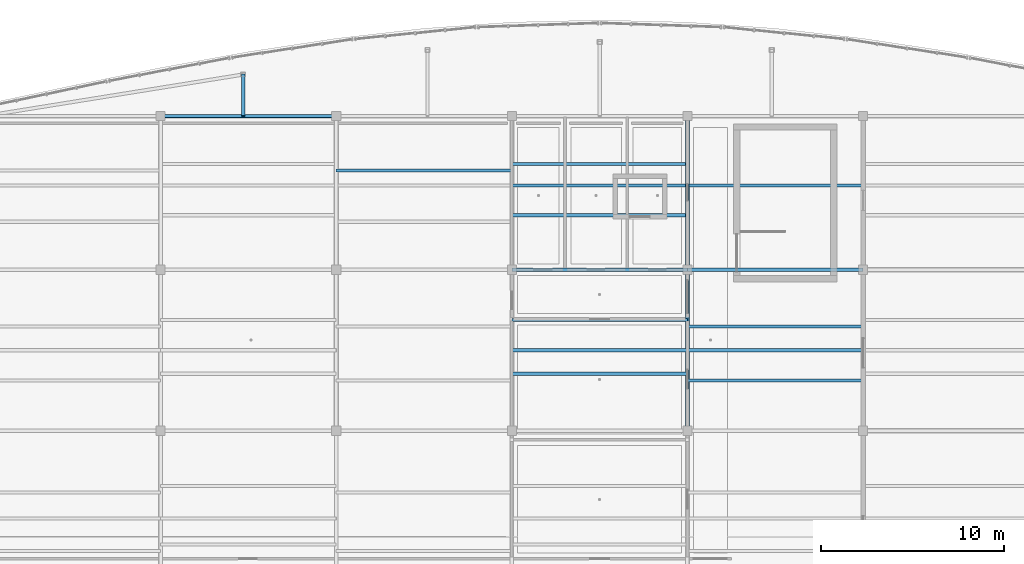
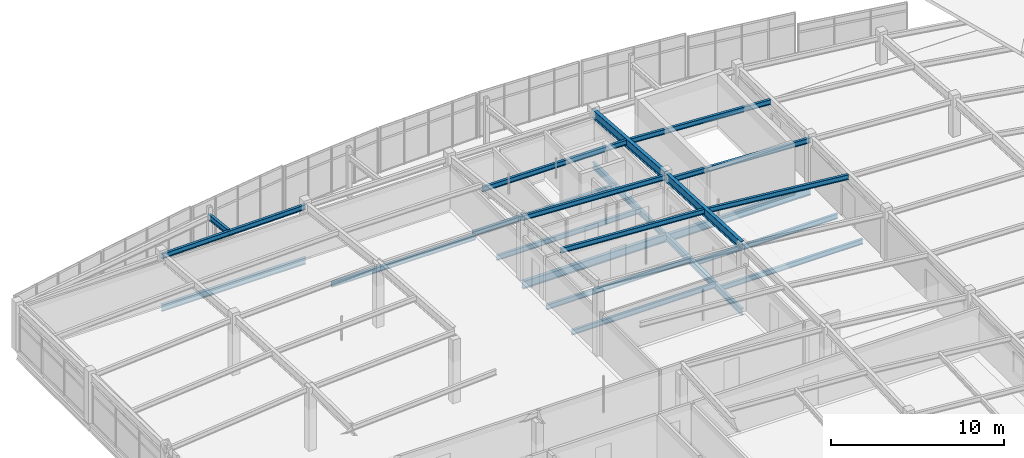
# One storey, part 43 of 65: 14 beams, 8 members.
"""IFC4 building model written with IfcOpenShell, lengths in metres."""

from ifc_helpers import new_model, si_unit, direction, frame, origin, origin_2d, place, context, subcontext, project, spatial, i_section, extrude, material, material_profile, profile_set, type_object, element, save


model = new_model("IFC4")

# Units and contexts
model_context = context("Model", 3, precision=1e-05, world=origin(), true_north=direction((0.0, 1.0)))
body_context = subcontext(model_context, "Body", "Model", "MODEL_VIEW")
ifc_project = project(units=[si_unit("LENGTHUNIT", "METRE"), si_unit("AREAUNIT", "SQUARE_METRE"), si_unit("VOLUMEUNIT", "CUBIC_METRE"), si_unit("PLANEANGLEUNIT", "RADIAN"), si_unit("MASSUNIT", "GRAM", prefix="KILO")], contexts=[model_context])

# Site, building, storey
site_placement = place(None, origin())
site = spatial("IfcSite", under=ifc_project, at=site_placement, CompositionType="ELEMENT")
building_placement = place(site_placement, origin())
building = spatial("IfcBuilding", under=site, at=building_placement, Name="Chalmorin Arch Market", CompositionType="ELEMENT")
storey_placement = place(building_placement, frame((0.0, 0.0, 14.10009765625)))
storey = spatial("IfcBuildingStorey", under=building, at=storey_placement, Name="L03", CompositionType="ELEMENT", Elevation=14.10009765625)

# Beams
ifc_material = material(Name="Steel A992 Grade 50", Category="steel")
ifc_material_profile_1 = material_profile(ifc_material, i_section(OverallWidth=0.19091796875, OverallDepth=0.45703125, WebThickness=0.009033203125, FlangeThickness=0.014404296875, FilletRadius=0.02001953125, at=origin_2d()), Name="W18X50")
ifc_profile_set_1 = profile_set([ifc_material_profile_1], Name="Steel A992 Grade 50")
beam_type_1 = type_object("IfcBeamType", Name="FloorSteelBeam-W18X50", PredefinedType="BEAM", material=ifc_profile_set_1)
beam_1_placement = place(storey_placement, frame((86.39990234375, 100.800048828125, -0.470703125), z_axis=(0.0, 1.0, 0.0), x_axis=(-1.0, 0.0, 0.0)))
element("IfcBeam", 1, at=beam_1_placement, inside=storey, type_object=beam_type_1, Name="BM-W18B-1423", PredefinedType="BEAM", context=body_context, shape_type="SweptSolid", body=[
    extrude(i_section(OverallWidth=0.19091796875, OverallDepth=0.45703125, WebThickness=0.009033203125, FlangeThickness=0.014404296875, FilletRadius=0.02001953125, at=origin_2d()), origin(), (0.0, 0.0, 1.0), 8.800048828125),
])
beam_2_placement = place(storey_placement, frame((86.39990234375, 109.60009765625, -0.510498046875), z_axis=(0.0, 1.0, 0.0), x_axis=(-1.0, 0.0, 0.0)))
element("IfcBeam", 2, at=beam_2_placement, inside=storey, type_object=beam_type_1, Name="BM-W18B-1425", PredefinedType="BEAM", context=body_context, shape_type="SweptSolid", body=[
    extrude(i_section(OverallWidth=0.19091796875, OverallDepth=0.45703125, WebThickness=0.009033203125, FlangeThickness=0.014404296875, FilletRadius=0.02001953125, at=origin_2d()), origin(), (0.0, 0.0, 1.0), 8.39990234375),
])
ifc_material_profile_2 = material_profile(ifc_material, i_section(OverallWidth=0.19091796875, OverallDepth=0.45703125, WebThickness=0.009033203125, FlangeThickness=0.014404296875, FilletRadius=0.02001953125, at=origin_2d()), Name="W18X50")
ifc_profile_set_2 = profile_set([ifc_material_profile_2], Name="Steel A992 Grade 50")
beam_type_2 = type_object("IfcBeamType", Name="PerimeterSpandrelBeam-W18X50", PredefinedType="SPANDREL", material=ifc_profile_set_2)
beam_3_placement = place(storey_placement, frame((57.60009765625, 118.0, -0.510498046875), z_axis=(1.0, 0.0, 0.0), x_axis=(0.0, 1.0, 0.0)))
element("IfcBeam", 3, at=beam_3_placement, inside=storey, type_object=beam_type_2, Name="SP-W18-1402", PredefinedType="SPANDREL", context=body_context, shape_type="SweptSolid", body=[
    extrude(i_section(OverallWidth=0.19091796875, OverallDepth=0.45703125, WebThickness=0.009033203125, FlangeThickness=0.014404296875, FilletRadius=0.02001953125, at=origin_2d()), origin(), (0.0, 0.0, 1.0), 9.599853515625),
])
ifc_material_profile_3 = material_profile(ifc_material, i_section(OverallWidth=0.2119140625, OverallDepth=0.5439453125, WebThickness=0.01318359375, FlangeThickness=0.021240234375, FilletRadius=0.02197265625, at=origin_2d()), Name="W21X83")
ifc_profile_set_3 = profile_set([ifc_material_profile_3], Name="Steel A992 Grade 50")
beam_type_3 = type_object("IfcBeamType", Name="PrimarySteelGirder-W21X83", PredefinedType="BEAM", material=ifc_profile_set_3)
beam_4_placement = place(storey_placement, frame((76.800048828125, 109.60009765625, -0.51416015625), z_axis=(1.0, 0.0, 0.0), x_axis=(0.0, 1.0, 0.0)))
element("IfcBeam", 4, at=beam_4_placement, inside=storey, type_object=beam_type_3, Name="BG-W21A-1422", PredefinedType="BEAM", context=body_context, shape_type="SweptSolid", body=[
    extrude(i_section(OverallWidth=0.2119140625, OverallDepth=0.5439453125, WebThickness=0.01318359375, FlangeThickness=0.021240234375, FilletRadius=0.02197265625, at=origin_2d()), origin(), (0.0, 0.0, 1.0), 9.599853515625),
])
beam_5_placement = place(storey_placement, frame((86.39990234375, 109.60009765625, -0.57421875), z_axis=(1.0, 0.0, 0.0), x_axis=(0.0, 1.0, 0.0)))
element("IfcBeam", 5, at=beam_5_placement, inside=storey, type_object=beam_type_3, Name="BG-W21A-1433", PredefinedType="BEAM", context=body_context, shape_type="SweptSolid", body=[
    extrude(i_section(OverallWidth=0.2119140625, OverallDepth=0.5439453125, WebThickness=0.01318359375, FlangeThickness=0.021240234375, FilletRadius=0.02197265625, at=origin_2d()), origin(), (0.0, 0.0, 1.0), 9.60009765625),
])
ifc_material_profile_4 = material_profile(ifc_material, i_section(OverallWidth=0.22802734375, OverallDepth=0.60791015625, WebThickness=0.01123046875, FlangeThickness=0.017333984375, FilletRadius=0.02392578125, at=origin_2d()), Name="W24X76")
ifc_profile_set_4 = profile_set([ifc_material_profile_4], Name="Steel A992 Grade 50")
beam_type_4 = type_object("IfcBeamType", Name="PrimarySteelGirder-W24X76", PredefinedType="BEAM", material=ifc_profile_set_4)
beam_6_placement = place(storey_placement, frame((86.39990234375, 100.800048828125, 4.2109375), z_axis=(0.0, 0.998835556545, -0.048244491717), x_axis=(-1.0, 0.0, 0.0)))
element("IfcBeam", 6, at=beam_6_placement, inside=storey, type_object=beam_type_4, Name="BG-W24B-1568", PredefinedType="BEAM", context=body_context, shape_type="SweptSolid", body=[
    extrude(i_section(OverallWidth=0.22802734375, OverallDepth=0.60791015625, WebThickness=0.01123046875, FlangeThickness=0.017333984375, FilletRadius=0.02392578125, at=origin_2d()), origin(), (0.0, 0.0, 1.0), 8.810302734375),
])
beam_7_placement = place(storey_placement, frame((86.39990234375, 109.60009765625, 3.785888671875), z_axis=(0.0, 0.997011373746, -0.077254906772), x_axis=(-1.0, 0.0, 0.0)))
element("IfcBeam", 7, at=beam_7_placement, inside=storey, type_object=beam_type_4, Name="BG-W24B-1569", PredefinedType="BEAM", context=body_context, shape_type="SweptSolid", body=[
    extrude(i_section(OverallWidth=0.22802734375, OverallDepth=0.60791015625, WebThickness=0.01123046875, FlangeThickness=0.017333984375, FilletRadius=0.02392578125, at=origin_2d()), origin(), (0.0, 0.0, 1.0), 8.425048828125),
])

# Members
ifc_material_profile_5 = material_profile(ifc_material, i_section(OverallWidth=0.1708984375, OverallDepth=0.35107421875, WebThickness=0.0068359375, FlangeThickness=0.009765625, FilletRadius=0.014892578125, at=origin_2d()), Name="W14X30")
ifc_profile_set_5 = profile_set([ifc_material_profile_5], Name="Steel A992 Grade 50")
member_type_1 = type_object("IfcMemberType", Name="RoofSteelPurlin-W14X30", PredefinedType="PURLIN", material=ifc_profile_set_5)
member_1_placement = place(storey_placement, frame((76.800048828125, 105.199951171875, 4.56591796875), z_axis=(0.998260953124, 0.0, -0.058949719823), x_axis=(0.0, 1.0, 0.0)))
element("IfcMember", 8, at=member_1_placement, inside=storey, type_object=member_type_1, Name="PR-W14-0101", PredefinedType="PURLIN", context=body_context, shape_type="SweptSolid", body=[
    extrude(i_section(OverallWidth=0.1708984375, OverallDepth=0.35107421875, WebThickness=0.0068359375, FlangeThickness=0.009765625, FilletRadius=0.014892578125, at=origin_2d()), origin(), (0.0, 0.0, 1.0), 9.61669921875),
])
member_2_placement = place(storey_placement, frame((86.39990234375, 105.199951171875, 3.9990234375), z_axis=(0.995280240366, 0.0, -0.097042481094), x_axis=(0.0, 1.0, 0.0)))
element("IfcMember", 9, at=member_2_placement, inside=storey, type_object=member_type_1, Name="PR-W14-0102", PredefinedType="PURLIN", context=body_context, shape_type="SweptSolid", body=[
    extrude(i_section(OverallWidth=0.1708984375, OverallDepth=0.35107421875, WebThickness=0.0068359375, FlangeThickness=0.009765625, FilletRadius=0.014892578125, at=origin_2d()), origin(), (0.0, 0.0, 1.0), 9.6455078125),
])
for number, where, z_axis, x_axis, name in (
    (10, (76.800048828125, 109.60009765625, 4.201904296875), (0.998873476404, 0.0, -0.0474529044), (0.0, 1.0, 0.0), "PR-W14-0108"),
    (11, (86.39990234375, 109.60009765625, 3.43994140625), (0.998903434265, 0.0, -0.046818041538), (0.0, 1.0, 0.0), "PR-W14-0109"),
):
    element("IfcMember", number, at=place(storey_placement, frame(where, z_axis=z_axis, x_axis=x_axis)), inside=storey, type_object=member_type_1, Name=name, PredefinedType="PURLIN", context=body_context, shape_type="SweptSolid", body=[
        extrude(i_section(OverallWidth=0.1708984375, OverallDepth=0.35107421875, WebThickness=0.0068359375, FlangeThickness=0.009765625, FilletRadius=0.014892578125, at=origin_2d()), origin(), (0.0, 0.0, 1.0), 9.610595703125),
    ])
member_3_placement = place(storey_placement, frame((76.800048828125, 114.199951171875, 3.43994140625), z_axis=(0.999995107533, 0.0, -0.003128084185), x_axis=(0.0, 1.0, 0.0)))
element("IfcMember", 12, at=member_3_placement, inside=storey, type_object=member_type_1, Name="PR-W14-0115", PredefinedType="PURLIN", context=body_context, shape_type="SweptSolid", body=[
    extrude(i_section(OverallWidth=0.1708984375, OverallDepth=0.35107421875, WebThickness=0.0068359375, FlangeThickness=0.009765625, FilletRadius=0.014892578125, at=origin_2d()), origin(), (0.0, 0.0, 1.0), 9.599853515625),
])
member_4_placement = place(storey_placement, frame((86.39990234375, 114.199951171875, 3.409912109375), z_axis=(0.998564787444, 0.0, -0.05355712163), x_axis=(0.0, 1.0, 0.0)))
element("IfcMember", 13, at=member_4_placement, inside=storey, type_object=member_type_1, Name="PR-W14-0116", PredefinedType="PURLIN", context=body_context, shape_type="SweptSolid", body=[
    extrude(i_section(OverallWidth=0.1708984375, OverallDepth=0.35107421875, WebThickness=0.0068359375, FlangeThickness=0.009765625, FilletRadius=0.014892578125, at=origin_2d()), origin(), (0.0, 0.0, 1.0), 9.614013671875),
])
member_5_placement = place(storey_placement, frame((57.60009765625, 118.0, 3.125), z_axis=(0.99986798095, 0.0, 0.016248712897), x_axis=(0.0, 1.0, 0.0)))
element("IfcMember", 14, at=member_5_placement, inside=storey, type_object=member_type_1, Name="PR-W14-0120", PredefinedType="PURLIN", context=body_context, shape_type="SweptSolid", body=[
    extrude(i_section(OverallWidth=0.1708984375, OverallDepth=0.35107421875, WebThickness=0.0068359375, FlangeThickness=0.009765625, FilletRadius=0.014892578125, at=origin_2d()), origin(), (0.0, 0.0, 1.0), 9.60107421875),
])
ifc_material_profile_6 = material_profile(ifc_material, i_section(OverallWidth=0.178955078125, OverallDepth=0.409912109375, WebThickness=0.0087890625, FlangeThickness=0.014404296875, FilletRadius=0.01806640625, at=origin_2d()), Name="W16X45")
ifc_profile_set_6 = profile_set([ifc_material_profile_6], Name="Steel A992 Grade 50")
member_type_2 = type_object("IfcMemberType", Name="RoofSteelPurlin-W16X45", PredefinedType="PURLIN", material=ifc_profile_set_6)
member_6_placement = place(storey_placement, frame((62.112060546875, 120.26904296875, 2.9599609375), z_axis=(0.0, -0.993594892447, 0.113000839393), x_axis=(1.0, 0.0, 0.0)))
element("IfcMember", 15, at=member_6_placement, inside=storey, type_object=member_type_2, Name="PR-W16-0127", PredefinedType="PURLIN", context=body_context, shape_type="SweptSolid", body=[
    extrude(i_section(OverallWidth=0.178955078125, OverallDepth=0.409912109375, WebThickness=0.0087890625, FlangeThickness=0.014404296875, FilletRadius=0.01806640625, at=origin_2d()), origin(), (0.0, 0.0, 1.0), 2.28369140625),
])

# Beams
ifc_material_profile_7 = material_profile(ifc_material, i_section(OverallWidth=0.1708984375, OverallDepth=0.35107421875, WebThickness=0.0068359375, FlangeThickness=0.009765625, FilletRadius=0.014892578125, at=origin_2d()), Name="W14X30")
ifc_profile_set_7 = profile_set([ifc_material_profile_7], Name="Steel A992 Grade 50")
beam_type_5 = type_object("IfcBeamType", Name="SecondaryFloorJoist-W14X30", PredefinedType="JOIST", material=ifc_profile_set_7)
beam_8_placement = place(storey_placement, frame((67.199951171875, 115.02001953125, -0.41748046875), z_axis=(1.0, 0.0, 0.0), x_axis=(0.0, 1.0, 0.0)))
element("IfcBeam", 16, at=beam_8_placement, inside=storey, type_object=beam_type_5, Name="BJ-W14-1462", PredefinedType="JOIST", context=body_context, shape_type="SweptSolid", body=[
    extrude(i_section(OverallWidth=0.1708984375, OverallDepth=0.35107421875, WebThickness=0.0068359375, FlangeThickness=0.009765625, FilletRadius=0.014892578125, at=origin_2d()), origin(), (0.0, 0.0, 1.0), 9.60009765625),
])
for number, where, z_axis, x_axis, name in (
    (17, (76.800048828125, 103.913330078125, -0.41748046875), (1.0, 0.0, 0.0), (0.0, 1.0, 0.0), "BJ-W14-1469"),
    (18, (76.800048828125, 106.8466796875, -0.41748046875), (1.0, 0.0, 0.0), (0.0, 1.0, 0.0), "BJ-W14-1470"),
    (19, (76.800048828125, 112.580078125, -0.41748046875), (1.0, 0.0, 0.0), (0.0, 1.0, 0.0), "BJ-W14-1471"),
    (20, (76.800048828125, 115.3798828125, -0.41748046875), (1.0, 0.0, 0.0), (0.0, 1.0, 0.0), "BJ-W14-1472"),
):
    element("IfcBeam", number, at=place(storey_placement, frame(where, z_axis=z_axis, x_axis=x_axis)), inside=storey, type_object=beam_type_5, Name=name, PredefinedType="JOIST", context=body_context, shape_type="SweptSolid", body=[
        extrude(i_section(OverallWidth=0.1708984375, OverallDepth=0.35107421875, WebThickness=0.0068359375, FlangeThickness=0.009765625, FilletRadius=0.014892578125, at=origin_2d()), origin(), (0.0, 0.0, 1.0), 9.599853515625),
    ])
for number, where, z_axis, x_axis, name in (
    (21, (86.39990234375, 103.55322265625, -0.4775390625), (1.0, 0.0, 0.0), (0.0, 1.0, 0.0), "BJ-W14-1479"),
    (22, (86.39990234375, 106.48681640625, -0.4775390625), (1.0, 0.0, 0.0), (0.0, 1.0, 0.0), "BJ-W14-1480"),
):
    element("IfcBeam", number, at=place(storey_placement, frame(where, z_axis=z_axis, x_axis=x_axis)), inside=storey, type_object=beam_type_5, Name=name, PredefinedType="JOIST", context=body_context, shape_type="SweptSolid", body=[
        extrude(i_section(OverallWidth=0.1708984375, OverallDepth=0.35107421875, WebThickness=0.0068359375, FlangeThickness=0.009765625, FilletRadius=0.014892578125, at=origin_2d()), origin(), (0.0, 0.0, 1.0), 9.60009765625),
    ])

save(model, "model.ifc")
